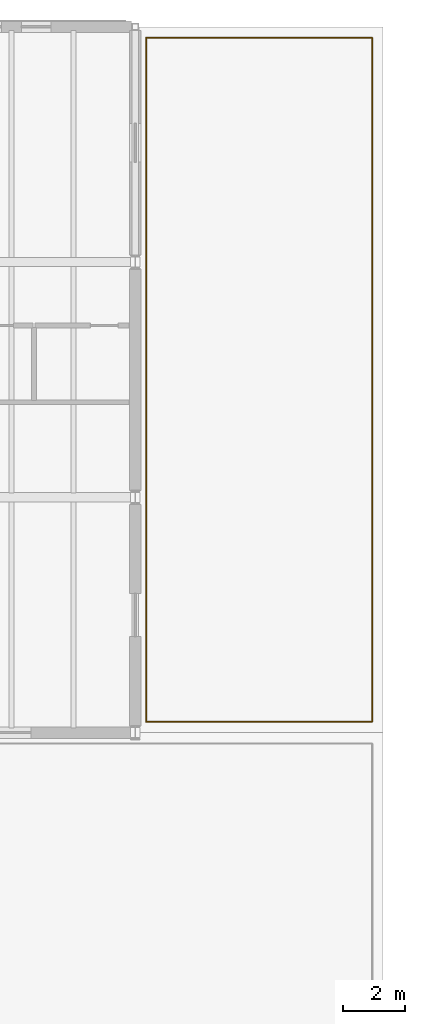
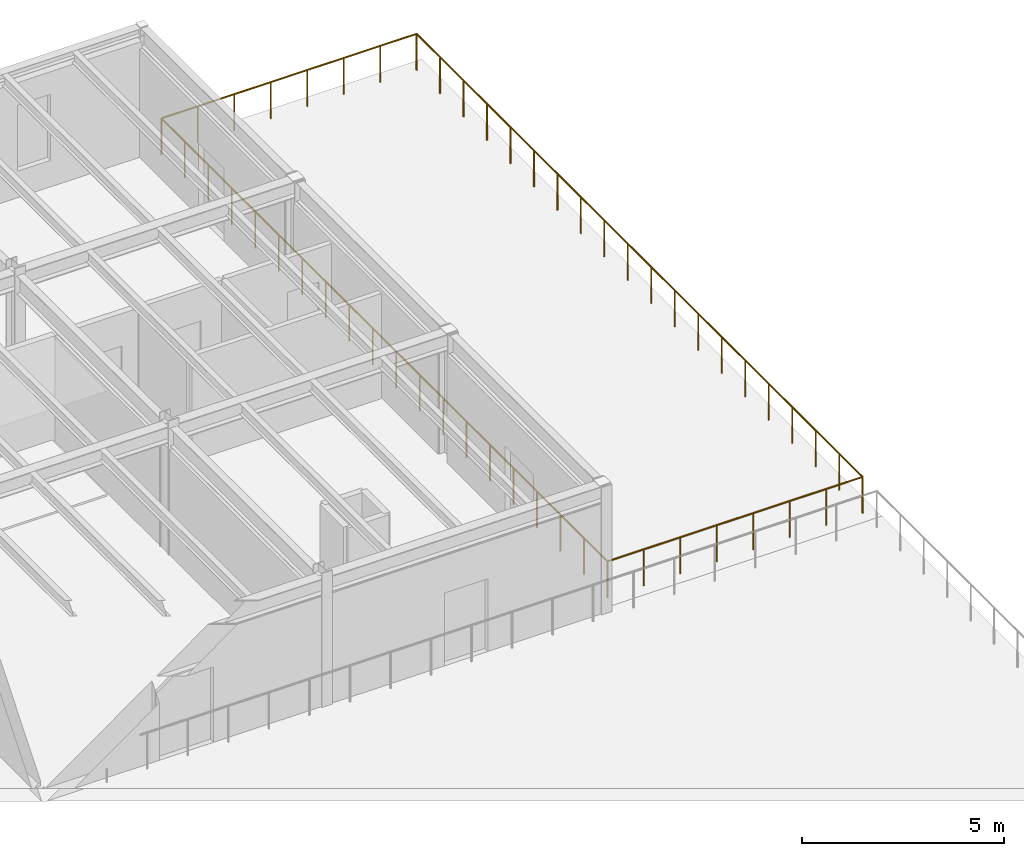
# One storey, part 114 of 114: 1 railing.
"""IFC4 building model written with IfcOpenShell, lengths in metres."""

from ifc_helpers import new_model, si_unit, direction, frame, origin, origin_2d, place, context, subcontext, project, spatial, circle, extrude, material, type_object, element, save


model = new_model("IFC4")

# Units and contexts
model_context = context("Model", 3, precision=1e-05, world=origin(), true_north=direction((0.0, 1.0)))
body_context = subcontext(model_context, "Body", "Model", "MODEL_VIEW")
ifc_project = project(units=[si_unit("LENGTHUNIT", "METRE"), si_unit("AREAUNIT", "SQUARE_METRE"), si_unit("VOLUMEUNIT", "CUBIC_METRE"), si_unit("PLANEANGLEUNIT", "RADIAN"), si_unit("MASSUNIT", "GRAM", prefix="KILO")], contexts=[model_context])

# Site, building, storey
site_placement = place(None, origin())
site = spatial("IfcSite", under=ifc_project, at=site_placement, CompositionType="ELEMENT")
building_placement = place(site_placement, origin())
building = spatial("IfcBuilding", under=site, at=building_placement, Name="Montecoro Central Library", CompositionType="ELEMENT")
storey_placement = place(building_placement, frame((0.0, 0.0, 13.260009765625)))
storey = spatial("IfcBuildingStorey", under=building, at=storey_placement, Name="L03", CompositionType="ELEMENT", Elevation=13.260009765625)

# Railing
ifc_material = material(Name="Architectural bronze and laminated safety balustrade", Category="aluminium")
railing_type = type_object("IfcRailingType", Name="GRD-EXT-110", PredefinedType="GUARDRAIL", material=ifc_material)
railing_placement = place(storey_placement, frame((165.35009765625, 96.550048828125, 0.0)))
element("IfcRailing", 1, at=railing_placement, inside=storey, type_object=railing_type, Name="V5-L03-TGRD-2", PredefinedType="GUARDRAIL", context=body_context, shape_type="SweptSolid", body=[
    extrude(circle(Radius=0.02392578125, at=origin_2d()), frame((0.0, 0.0, 1.09619140625), z_axis=(1.0, 0.0, 0.0), x_axis=(0.0, 1.0, 0.0)), (0.0, 0.0, 1.0), 7.2998046875),
    extrude(circle(Radius=0.02392578125, at=origin_2d()), frame((7.2998046875, 0.0, 1.09619140625), z_axis=(0.0, 1.0, 0.0), x_axis=(-1.0, 0.0, 0.0)), (0.0, 0.0, 1.0), 22.099853515625),
    extrude(circle(Radius=0.02392578125, at=origin_2d()), frame((7.2998046875, 22.099853515625, 1.09619140625), z_axis=(-1.0, 0.0, 0.0), x_axis=(0.0, -1.0, 0.0)), (0.0, 0.0, 1.0), 7.2998046875),
    extrude(circle(Radius=0.02392578125, at=origin_2d()), frame((0.0, 22.099853515625, 1.09619140625), z_axis=(0.0, -1.0, 0.0), x_axis=(1.0, 0.0, 0.0)), (0.0, 0.0, 1.0), 22.099853515625),
    extrude(circle(Radius=0.02099609375, at=origin_2d()), origin(), (0.0, 0.0, 1.0), 1.072021484375),
    extrude(circle(Radius=0.02099609375, at=origin_2d()), frame((1.042724609375, 0.0, 0.0)), (0.0, 0.0, 1.0), 1.072021484375),
    extrude(circle(Radius=0.02099609375, at=origin_2d()), frame((2.085693359375, 0.0, 0.0)), (0.0, 0.0, 1.0), 1.072021484375),
    extrude(circle(Radius=0.02099609375, at=origin_2d()), frame((3.12841796875, 0.0, 0.0)), (0.0, 0.0, 1.0), 1.072021484375),
    extrude(circle(Radius=0.02099609375, at=origin_2d()), frame((4.17138671875, 0.0, 0.0)), (0.0, 0.0, 1.0), 1.072021484375),
    extrude(circle(Radius=0.02099609375, at=origin_2d()), frame((5.214111328125, 0.0, 0.0)), (0.0, 0.0, 1.0), 1.072021484375),
    extrude(circle(Radius=0.02099609375, at=origin_2d()), frame((6.257080078125, 0.0, 0.0)), (0.0, 0.0, 1.0), 1.072021484375),
    extrude(circle(Radius=0.02099609375, at=origin_2d()), frame((7.2998046875, 0.0, 0.0)), (0.0, 0.0, 1.0), 1.072021484375),
    extrude(circle(Radius=0.02099609375, at=origin_2d()), frame((7.2998046875, 1.1630859375, 0.0)), (0.0, 0.0, 1.0), 1.072021484375),
    extrude(circle(Radius=0.02099609375, at=origin_2d()), frame((7.2998046875, 2.326416015625, 0.0)), (0.0, 0.0, 1.0), 1.072021484375),
    extrude(circle(Radius=0.02099609375, at=origin_2d()), frame((7.2998046875, 3.489501953125, 0.0)), (0.0, 0.0, 1.0), 1.072021484375),
    extrude(circle(Radius=0.02099609375, at=origin_2d()), frame((7.2998046875, 4.652587890625, 0.0)), (0.0, 0.0, 1.0), 1.072021484375),
    extrude(circle(Radius=0.02099609375, at=origin_2d()), frame((7.2998046875, 5.815673828125, 0.0)), (0.0, 0.0, 1.0), 1.072021484375),
    extrude(circle(Radius=0.02099609375, at=origin_2d()), frame((7.2998046875, 6.97900390625, 0.0)), (0.0, 0.0, 1.0), 1.072021484375),
    extrude(circle(Radius=0.02099609375, at=origin_2d()), frame((7.2998046875, 8.14208984375, 0.0)), (0.0, 0.0, 1.0), 1.072021484375),
    extrude(circle(Radius=0.02099609375, at=origin_2d()), frame((7.2998046875, 9.30517578125, 0.0)), (0.0, 0.0, 1.0), 1.072021484375),
    extrude(circle(Radius=0.02099609375, at=origin_2d()), frame((7.2998046875, 10.46826171875, 0.0)), (0.0, 0.0, 1.0), 1.072021484375),
    extrude(circle(Radius=0.02099609375, at=origin_2d()), frame((7.2998046875, 11.631591796875, 0.0)), (0.0, 0.0, 1.0), 1.072021484375),
    extrude(circle(Radius=0.02099609375, at=origin_2d()), frame((7.2998046875, 12.794677734375, 0.0)), (0.0, 0.0, 1.0), 1.072021484375),
    extrude(circle(Radius=0.02099609375, at=origin_2d()), frame((7.2998046875, 13.957763671875, 0.0)), (0.0, 0.0, 1.0), 1.072021484375),
    extrude(circle(Radius=0.02099609375, at=origin_2d()), frame((7.2998046875, 15.120849609375, 0.0)), (0.0, 0.0, 1.0), 1.072021484375),
    extrude(circle(Radius=0.02099609375, at=origin_2d()), frame((7.2998046875, 16.2841796875, 0.0)), (0.0, 0.0, 1.0), 1.072021484375),
    extrude(circle(Radius=0.02099609375, at=origin_2d()), frame((7.2998046875, 17.447265625, 0.0)), (0.0, 0.0, 1.0), 1.072021484375),
    extrude(circle(Radius=0.02099609375, at=origin_2d()), frame((7.2998046875, 18.6103515625, 0.0)), (0.0, 0.0, 1.0), 1.072021484375),
    extrude(circle(Radius=0.02099609375, at=origin_2d()), frame((7.2998046875, 19.7734375, 0.0)), (0.0, 0.0, 1.0), 1.072021484375),
    extrude(circle(Radius=0.02099609375, at=origin_2d()), frame((7.2998046875, 20.936767578125, 0.0)), (0.0, 0.0, 1.0), 1.072021484375),
    extrude(circle(Radius=0.02099609375, at=origin_2d()), frame((7.2998046875, 22.099853515625, 0.0)), (0.0, 0.0, 1.0), 1.072021484375),
    extrude(circle(Radius=0.02099609375, at=origin_2d()), frame((6.257080078125, 22.099853515625, 0.0)), (0.0, 0.0, 1.0), 1.072021484375),
    extrude(circle(Radius=0.02099609375, at=origin_2d()), frame((5.214111328125, 22.099853515625, 0.0)), (0.0, 0.0, 1.0), 1.072021484375),
    extrude(circle(Radius=0.02099609375, at=origin_2d()), frame((4.17138671875, 22.099853515625, 0.0)), (0.0, 0.0, 1.0), 1.072021484375),
    extrude(circle(Radius=0.02099609375, at=origin_2d()), frame((3.12841796875, 22.099853515625, 0.0)), (0.0, 0.0, 1.0), 1.072021484375),
    extrude(circle(Radius=0.02099609375, at=origin_2d()), frame((2.085693359375, 22.099853515625, 0.0)), (0.0, 0.0, 1.0), 1.072021484375),
    extrude(circle(Radius=0.02099609375, at=origin_2d()), frame((1.042724609375, 22.099853515625, 0.0)), (0.0, 0.0, 1.0), 1.072021484375),
    extrude(circle(Radius=0.02099609375, at=origin_2d()), frame((0.0, 22.099853515625, 0.0)), (0.0, 0.0, 1.0), 1.072021484375),
    extrude(circle(Radius=0.02099609375, at=origin_2d()), frame((0.0, 20.936767578125, 0.0)), (0.0, 0.0, 1.0), 1.072021484375),
    extrude(circle(Radius=0.02099609375, at=origin_2d()), frame((0.0, 19.7734375, 0.0)), (0.0, 0.0, 1.0), 1.072021484375),
    extrude(circle(Radius=0.02099609375, at=origin_2d()), frame((0.0, 18.6103515625, 0.0)), (0.0, 0.0, 1.0), 1.072021484375),
    extrude(circle(Radius=0.02099609375, at=origin_2d()), frame((0.0, 17.447265625, 0.0)), (0.0, 0.0, 1.0), 1.072021484375),
    extrude(circle(Radius=0.02099609375, at=origin_2d()), frame((0.0, 16.2841796875, 0.0)), (0.0, 0.0, 1.0), 1.072021484375),
    extrude(circle(Radius=0.02099609375, at=origin_2d()), frame((0.0, 15.120849609375, 0.0)), (0.0, 0.0, 1.0), 1.072021484375),
    extrude(circle(Radius=0.02099609375, at=origin_2d()), frame((0.0, 13.957763671875, 0.0)), (0.0, 0.0, 1.0), 1.072021484375),
    extrude(circle(Radius=0.02099609375, at=origin_2d()), frame((0.0, 12.794677734375, 0.0)), (0.0, 0.0, 1.0), 1.072021484375),
    extrude(circle(Radius=0.02099609375, at=origin_2d()), frame((0.0, 11.631591796875, 0.0)), (0.0, 0.0, 1.0), 1.072021484375),
    extrude(circle(Radius=0.02099609375, at=origin_2d()), frame((0.0, 10.46826171875, 0.0)), (0.0, 0.0, 1.0), 1.072021484375),
    extrude(circle(Radius=0.02099609375, at=origin_2d()), frame((0.0, 9.30517578125, 0.0)), (0.0, 0.0, 1.0), 1.072021484375),
    extrude(circle(Radius=0.02099609375, at=origin_2d()), frame((0.0, 8.14208984375, 0.0)), (0.0, 0.0, 1.0), 1.072021484375),
    extrude(circle(Radius=0.02099609375, at=origin_2d()), frame((0.0, 6.97900390625, 0.0)), (0.0, 0.0, 1.0), 1.072021484375),
    extrude(circle(Radius=0.02099609375, at=origin_2d()), frame((0.0, 5.815673828125, 0.0)), (0.0, 0.0, 1.0), 1.072021484375),
    extrude(circle(Radius=0.02099609375, at=origin_2d()), frame((0.0, 4.652587890625, 0.0)), (0.0, 0.0, 1.0), 1.072021484375),
    extrude(circle(Radius=0.02099609375, at=origin_2d()), frame((0.0, 3.489501953125, 0.0)), (0.0, 0.0, 1.0), 1.072021484375),
    extrude(circle(Radius=0.02099609375, at=origin_2d()), frame((0.0, 2.326416015625, 0.0)), (0.0, 0.0, 1.0), 1.072021484375),
    extrude(circle(Radius=0.02099609375, at=origin_2d()), frame((0.0, 1.1630859375, 0.0)), (0.0, 0.0, 1.0), 1.072021484375),
])

save(model, "model.ifc")
